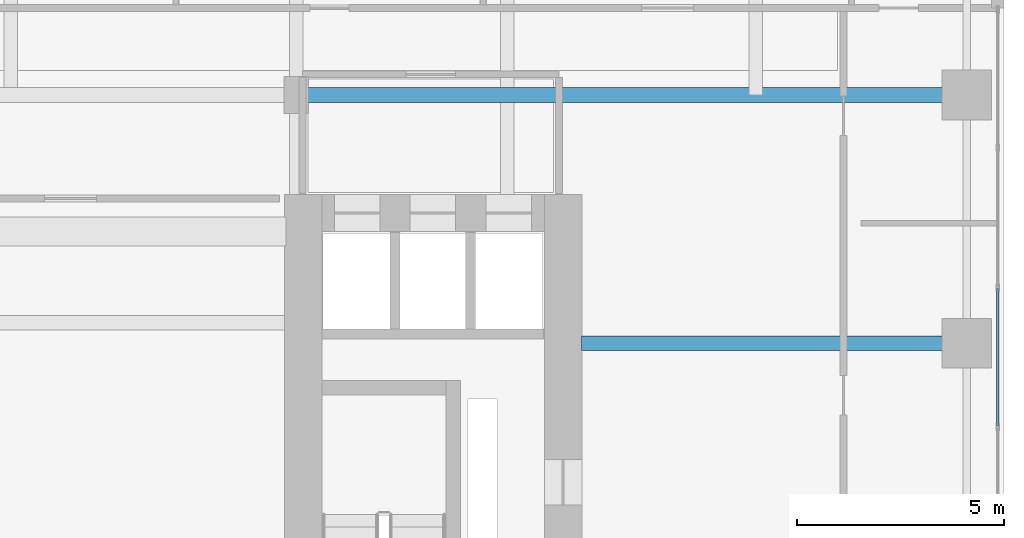
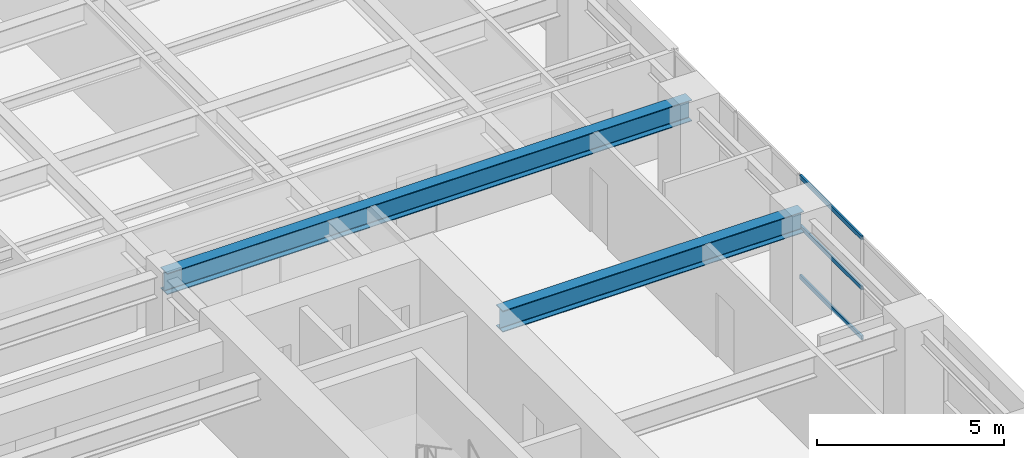
# One storey, part 5 of 19: 3 members, 2 beams, 1 element without a shape of its own.
"""IFC4 building model written with IfcOpenShell, lengths in metres."""

from ifc_helpers import new_model, si_unit, direction, frame, origin, origin_2d, place, context, subcontext, project, spatial, hollow_rectangle, i_section, extrude, source, transform, mapped, material, layer, layer_set, material_profile, profile_set, type_object, element, aggregate, save


model = new_model("IFC4")

# Units and contexts
model_context = context("Model", 3, precision=1e-05, world=origin(), true_north=direction((0.0, 1.0)))
body_context = subcontext(model_context, "Body", "Model", "MODEL_VIEW")
ifc_project = project(units=[si_unit("LENGTHUNIT", "METRE"), si_unit("AREAUNIT", "SQUARE_METRE"), si_unit("VOLUMEUNIT", "CUBIC_METRE"), si_unit("PLANEANGLEUNIT", "RADIAN"), si_unit("MASSUNIT", "GRAM", prefix="KILO")], contexts=[model_context])

# Site, building, storey
site_placement = place(None, origin())
site = spatial("IfcSite", under=ifc_project, at=site_placement, CompositionType="ELEMENT")
building_placement = place(site_placement, origin())
building = spatial("IfcBuilding", under=site, at=building_placement, Name="Khoralis Quay Care Tower", CompositionType="ELEMENT")
storey_placement = place(building_placement, frame((0.0, 0.0, 69.300048828125)))
storey = spatial("IfcBuildingStorey", under=building, at=storey_placement, Name="L18", CompositionType="ELEMENT", Elevation=69.300048828125)

# Beams
ifc_material_1 = material(Name="Steel S355", Category="steel")
ifc_material_profile_1 = material_profile(ifc_material_1, i_section(OverallWidth=0.35498046875, OverallDepth=0.695068359375, WebThickness=0.015380859375, FlangeThickness=0.02490234375, FilletRadius=0.02001953125, at=origin_2d()), Name="Steel S355")
ifc_profile_set_1 = profile_set([ifc_material_profile_1], Name="Steel S355")
beam_type = type_object("IfcBeamType", Name="BM-W690X217", PredefinedType="BEAM", material=ifc_profile_set_1)
shared_shape_1 = source(origin(), body_context, "Body", "SweptSolid", [
    extrude(i_section(OverallWidth=0.35498046875, OverallDepth=0.695068359375, WebThickness=0.015380859375, FlangeThickness=0.02490234375, FilletRadius=0.02001953125, at=origin_2d()), origin(), (0.0, 0.0, 1.0), 16.2001953125),
])
beam_1_placement = place(storey_placement, frame((30.89990234375, 30.0, 2.972412109375), z_axis=(1.0, 0.0, 0.0), x_axis=(0.0, 1.0, 0.0)))
element("IfcBeam", 1, at=beam_1_placement, inside=storey, type_object=beam_type, Name="BM-TGXE-L18-300", PredefinedType="BEAM", context=body_context, shape_type="MappedRepresentation", body=[
    mapped(shared_shape_1, transform((0.0, 0.0, 0.0), scale=1.0)),
])
shared_shape_2 = source(origin(), body_context, "Body", "SweptSolid", [
    extrude(i_section(OverallWidth=0.35498046875, OverallDepth=0.695068359375, WebThickness=0.015380859375, FlangeThickness=0.02490234375, FilletRadius=0.02001953125, at=origin_2d()), origin(), (0.0, 0.0, 1.0), 9.302001953125),
])
beam_2_placement = place(storey_placement, frame((37.798095703125, 24.0, 2.972412109375), z_axis=(1.0, 0.0, 0.0), x_axis=(0.0, 1.0, 0.0)))
element("IfcBeam", 2, at=beam_2_placement, inside=storey, type_object=beam_type, Name="BM-TGXE-L18-240", PredefinedType="BEAM", context=body_context, shape_type="MappedRepresentation", body=[
    mapped(shared_shape_2, transform((0.0, 0.0, 0.0), scale=1.0)),
])

# Curtain wall, members
ifc_material_2 = material(Name="Pale anodised aluminium", Category="aluminium")
ifc_layer = layer(ifc_material_2, 0.179931640625)
ifc_layer_set = layer_set([ifc_layer], Name="Pale anodised aluminium")
curtain_wall_type = type_object("IfcCurtainWallType", Name="CW-SYS-Z1", PredefinedType="NOTDEFINED", material=ifc_layer_set)
curtain_wall_placement = place(storey_placement, origin())
curtain_wall = element("IfcCurtainWall", 3, at=curtain_wall_placement, inside=storey, type_object=curtain_wall_type, Name="L18 Unitised Curtain Wall CW-L18-P1-E5", PredefinedType="NOTDEFINED")
ifc_material_profile_2 = material_profile(ifc_material_2, hollow_rectangle(XDim=0.06005859375, YDim=0.139892578125, WallThickness=0.00390625, at=origin_2d()), Name="Pale anodised aluminium")
ifc_profile_set_2 = profile_set([ifc_material_profile_2], Name="Pale anodised aluminium")
member_type = type_object("IfcMemberType", Name="CW-TRN-140", PredefinedType="USERDEFINED", material=ifc_profile_set_2)
shared_shape_3 = source(origin(), body_context, "Body", "SweptSolid", [
    extrude(hollow_rectangle(XDim=0.06005859375, YDim=0.139892578125, WallThickness=0.00390625, at=origin_2d()), origin(), (0.0, 0.0, 1.0), 3.315185546875),
])
member_1_placement = place(storey_placement, frame((47.85009765625, 22.0048828125, 0.030029296875), z_axis=(0.0, 1.0, 0.0), x_axis=(-1.0, 0.0, 0.0)))
member_1 = element("IfcMember", 4, at=member_1_placement, type_object=member_type, Name="CW1 transom 2.1", ObjectType="TRANSOM", PredefinedType="USERDEFINED", context=body_context, shape_type="MappedRepresentation", body=[
    mapped(shared_shape_3, transform((0.0, 0.0, 0.0), scale=1.0)),
])
member_2_placement = place(storey_placement, frame((47.85009765625, 22.0048828125, 1.659912109375), z_axis=(0.0, 1.0, 0.0), x_axis=(-1.0, 0.0, 0.0)))
member_2 = element("IfcMember", 5, at=member_2_placement, type_object=member_type, Name="CW1 transom 2.2", ObjectType="TRANSOM", PredefinedType="USERDEFINED", context=body_context, shape_type="MappedRepresentation", body=[
    mapped(shared_shape_3, transform((0.0, 0.0, 0.0), scale=1.0)),
])
member_3_placement = place(storey_placement, frame((47.85009765625, 22.0048828125, 3.2900390625), z_axis=(0.0, 1.0, 0.0), x_axis=(-1.0, 0.0, 0.0)))
member_3 = element("IfcMember", 6, at=member_3_placement, type_object=member_type, Name="CW1 transom 2.3", ObjectType="TRANSOM", PredefinedType="USERDEFINED", context=body_context, shape_type="MappedRepresentation", body=[
    mapped(shared_shape_3, transform((0.0, 0.0, 0.0), scale=1.0)),
])
aggregate(curtain_wall, [member_1, member_2, member_3])

save(model, "model.ifc")
